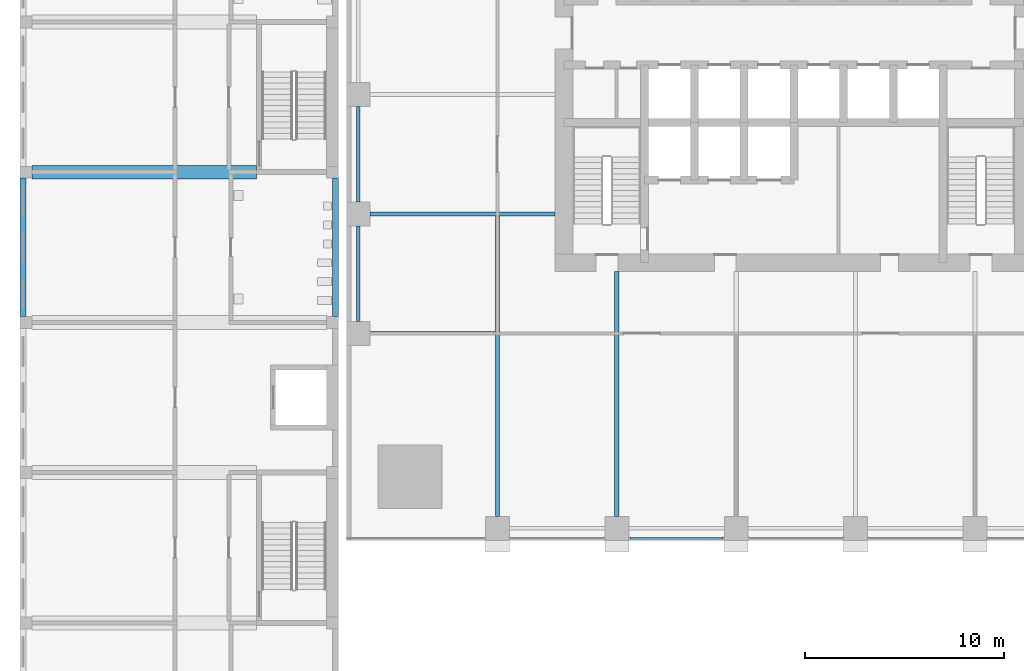
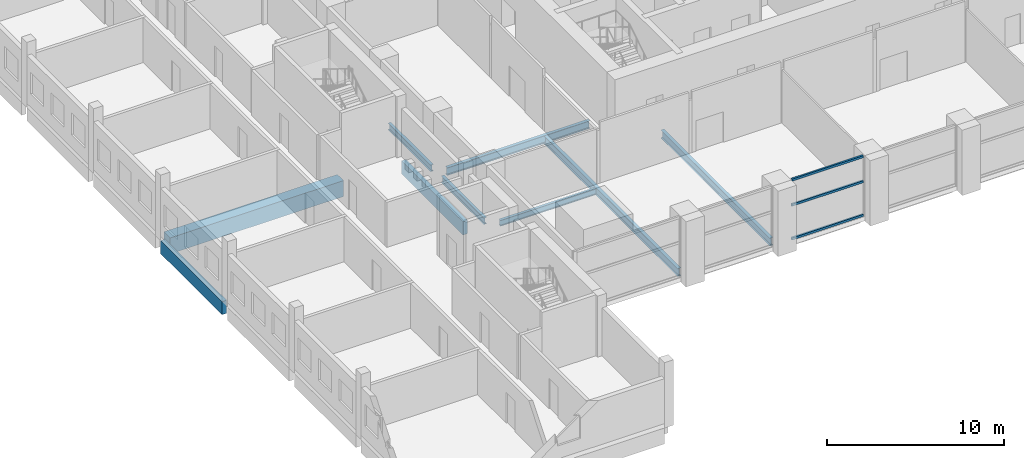
# One storey, part 3 of 25: 9 beams, 3 members, 1 element without a shape of its own.
"""IFC4 building model written with IfcOpenShell, lengths in metres."""

from ifc_helpers import new_model, si_unit, direction, frame, origin, origin_2d, place, context, subcontext, project, spatial, rectangle, i_section, extrude, material, material_profile, profile_set, type_object, element, aggregate, save


model = new_model("IFC4")

# Units and contexts
model_context = context("Model", 3, precision=1e-05, world=origin(), true_north=direction((0.0, 1.0)))
body_context = subcontext(model_context, "Body", "Model", "MODEL_VIEW")
ifc_project = project(units=[si_unit("LENGTHUNIT", "METRE"), si_unit("AREAUNIT", "SQUARE_METRE"), si_unit("VOLUMEUNIT", "CUBIC_METRE"), si_unit("PLANEANGLEUNIT", "RADIAN"), si_unit("MASSUNIT", "GRAM", prefix="KILO")], contexts=[model_context])

# Site, building, storey
site_placement = place(None, origin())
site = spatial("IfcSite", under=ifc_project, at=site_placement, CompositionType="ELEMENT")
building_placement = place(site_placement, origin())
building = spatial("IfcBuilding", under=site, at=building_placement, Name="Amberfall Residences", CompositionType="ELEMENT")
storey_placement = place(building_placement, frame((0.0, 0.0, 10.0)))
storey = spatial("IfcBuildingStorey", under=building, at=storey_placement, Name="L02", CompositionType="ELEMENT", Elevation=10.0)

# Curtain wall, members
ifc_material_1 = material(Name="Bronze anodised aluminium and glass", Category="aluminium")
curtain_wall_type = type_object("IfcCurtainWallType", Name="Curtain wall CW4 podium storefront", PredefinedType="USERDEFINED", material=ifc_material_1)
curtain_wall_placement = place(storey_placement, origin())
curtain_wall = element("IfcCurtainWall", 1, at=curtain_wall_placement, inside=storey, type_object=curtain_wall_type, Name="Storefront L02 S3", ObjectType="UNITISED CURTAIN WALL", PredefinedType="USERDEFINED")
ifc_material_2 = material(Name="Bronze anodised aluminium", Category="aluminium")
ifc_material_profile_1 = material_profile(ifc_material_2, rectangle(XDim=0.1201171875, YDim=0.14990234375, at=origin_2d()), Name="CW4 transom 120 x 150 bronze")
ifc_profile_set_1 = profile_set([ifc_material_profile_1], Name="Bronze anodised aluminium")
member_type = type_object("IfcMemberType", Name="CW4 transom 120 x 150 bronze", PredefinedType="USERDEFINED", material=ifc_profile_set_1)
member_1_placement = place(storey_placement, frame((66.27001953125, 20.10009765625, 0.074951171875), z_axis=(1.0, 0.0, 0.0), x_axis=(0.0, 1.0, 0.0)))
member_1 = element("IfcMember", 2, at=member_1_placement, type_object=member_type, Name="CW4 transom 1.1", ObjectType="TRANSOM", PredefinedType="USERDEFINED", context=body_context, shape_type="SweptSolid", body=[
    extrude(rectangle(XDim=0.1201171875, YDim=0.14990234375, at=origin_2d()), origin(), (0.0, 0.0, 1.0), 4.659912109375),
])
member_2_placement = place(storey_placement, frame((66.27001953125, 20.10009765625, 2.39990234375), z_axis=(1.0, 0.0, 0.0), x_axis=(0.0, 1.0, 0.0)))
member_2 = element("IfcMember", 3, at=member_2_placement, type_object=member_type, Name="CW4 transom 1.2", ObjectType="TRANSOM", PredefinedType="USERDEFINED", context=body_context, shape_type="SweptSolid", body=[
    extrude(rectangle(XDim=0.1201171875, YDim=0.14990234375, at=origin_2d()), origin(), (0.0, 0.0, 1.0), 4.659912109375),
])
member_3_placement = place(storey_placement, frame((66.27001953125, 20.10009765625, 4.125), z_axis=(1.0, 0.0, 0.0), x_axis=(0.0, 1.0, 0.0)))
member_3 = element("IfcMember", 4, at=member_3_placement, type_object=member_type, Name="CW4 transom 1.3", ObjectType="TRANSOM", PredefinedType="USERDEFINED", context=body_context, shape_type="SweptSolid", body=[
    extrude(rectangle(XDim=0.1201171875, YDim=0.14990234375, at=origin_2d()), origin(), (0.0, 0.0, 1.0), 4.659912109375),
])
aggregate(curtain_wall, [member_1, member_2, member_3])

# Beams
ifc_material_3 = material(Name="Steel S355", Category="steel")
ifc_material_profile_2 = material_profile(ifc_material_3, i_section(OverallWidth=0.18994140625, OverallDepth=0.453369140625, WebThickness=0.008544921875, FlangeThickness=0.0126953125, FilletRadius=0.01025390625, at=origin_2d()), Name="UB 457x191x67")
ifc_profile_set_2 = profile_set([ifc_material_profile_2], Name="Steel S355")
beam_type_1 = type_object("IfcBeamType", Name="Edge beam UB 457x191x67", PredefinedType="SPANDREL", material=ifc_profile_set_2)
for number, where, z_axis, x_axis, name in (
    (5, (52.60009765625, 31.0, -0.526611328125), (0.0, 1.0, 0.0), (-1.0, 0.0, 0.0), "Edge beam B1 L02 34"),
    (6, (52.60009765625, 37.0, -0.526611328125), (0.0, 1.0, 0.0), (-1.0, 0.0, 0.0), "Edge beam B1 L02 35"),
):
    element("IfcBeam", number, at=place(storey_placement, frame(where, z_axis=z_axis, x_axis=x_axis)), inside=storey, type_object=beam_type_1, Name=name, PredefinedType="SPANDREL", context=body_context, shape_type="SweptSolid", body=[
        extrude(i_section(OverallWidth=0.18994140625, OverallDepth=0.453369140625, WebThickness=0.008544921875, FlangeThickness=0.0126953125, FilletRadius=0.01025390625, at=origin_2d()), origin(), (0.0, 0.0, 1.0), 4.800048828125),
    ])
ifc_material_profile_3 = material_profile(ifc_material_3, i_section(OverallWidth=0.177734375, OverallDepth=0.402587890625, WebThickness=0.0078125, FlangeThickness=0.010986328125, FilletRadius=0.01025390625, at=origin_2d()), Name="UB 406x178x54")
ifc_profile_set_3 = profile_set([ifc_material_profile_3], Name="Steel S355")
beam_type_2 = type_object("IfcBeamType", Name="Floor girder UB 406x178x54", PredefinedType="BEAM", material=ifc_profile_set_3)
beam_1_placement = place(storey_placement, frame((53.199951171875, 30.39990234375, -0.501220703125), z_axis=(1.0, 0.0, 0.0), x_axis=(0.0, 1.0, 0.0)))
element("IfcBeam", 7, at=beam_1_placement, inside=storey, type_object=beam_type_2, Name="Floor girder B4 L02 39", PredefinedType="BEAM", context=body_context, shape_type="SweptSolid", body=[
    extrude(i_section(OverallWidth=0.177734375, OverallDepth=0.402587890625, WebThickness=0.0078125, FlangeThickness=0.010986328125, FilletRadius=0.01025390625, at=origin_2d()), origin(), (0.0, 0.0, 1.0), 6.280029296875),
])
ifc_material_profile_4 = material_profile(ifc_material_3, i_section(OverallWidth=0.210693359375, OverallDepth=0.53955078125, WebThickness=0.01171875, FlangeThickness=0.018798828125, FilletRadius=0.0126953125, at=origin_2d()), Name="UB 533x210x109")
ifc_profile_set_4 = profile_set([ifc_material_profile_4], Name="Steel S355")
beam_type_3 = type_object("IfcBeamType", Name="Floor girder UB 533x210x109", PredefinedType="BEAM", material=ifc_profile_set_4)
beam_2_placement = place(storey_placement, frame((59.60009765625, 21.199951171875, -0.56982421875), z_axis=(0.0, 1.0, 0.0), x_axis=(-1.0, 0.0, 0.0)))
element("IfcBeam", 8, at=beam_2_placement, inside=storey, type_object=beam_type_3, Name="Floor girder B2 L02 06", PredefinedType="BEAM", context=body_context, shape_type="SweptSolid", body=[
    extrude(i_section(OverallWidth=0.210693359375, OverallDepth=0.53955078125, WebThickness=0.01171875, FlangeThickness=0.018798828125, FilletRadius=0.0126953125, at=origin_2d()), origin(), (0.0, 0.0, 1.0), 15.100341796875),
])
beam_3_placement = place(storey_placement, frame((65.60009765625, 21.199951171875, -0.56982421875), z_axis=(0.0, 1.0, 0.0), x_axis=(-1.0, 0.0, 0.0)))
element("IfcBeam", 9, at=beam_3_placement, inside=storey, type_object=beam_type_3, Name="Floor girder B2 L02 07", PredefinedType="BEAM", context=body_context, shape_type="SweptSolid", body=[
    extrude(i_section(OverallWidth=0.210693359375, OverallDepth=0.53955078125, WebThickness=0.01171875, FlangeThickness=0.018798828125, FilletRadius=0.0126953125, at=origin_2d()), origin(), (0.0, 0.0, 1.0), 12.300048828125),
])
ifc_material_profile_5 = material_profile(ifc_material_3, i_section(OverallWidth=0.209228515625, OverallDepth=0.533203125, WebThickness=0.010009765625, FlangeThickness=0.015625, FilletRadius=0.0126953125, at=origin_2d()), Name="UB 533x210x92")
ifc_profile_set_5 = profile_set([ifc_material_profile_5], Name="Steel S355")
beam_type_4 = type_object("IfcBeamType", Name="Floor girder UB 533x210x92", PredefinedType="BEAM", material=ifc_profile_set_5)
beam_4_placement = place(storey_placement, frame((53.199951171875, 36.39990234375, -0.566650390625), z_axis=(1.0, 0.0, 0.0), x_axis=(0.0, 1.0, 0.0)))
element("IfcBeam", 10, at=beam_4_placement, inside=storey, type_object=beam_type_4, Name="Floor girder B3 L02 40", PredefinedType="BEAM", context=body_context, shape_type="SweptSolid", body=[
    extrude(i_section(OverallWidth=0.209228515625, OverallDepth=0.533203125, WebThickness=0.010009765625, FlangeThickness=0.015625, FilletRadius=0.0126953125, at=origin_2d()), origin(), (0.0, 0.0, 1.0), 9.300048828125),
])
ifc_material_4 = material(Name="Concrete C40", Category="concrete")
ifc_material_profile_6 = material_profile(ifc_material_4, rectangle(XDim=0.699951171875, YDim=1.10009765625, at=origin_2d()), Name="School beam 700 x 1100 C40")
ifc_profile_set_6 = profile_set([ifc_material_profile_6], Name="Concrete C40")
beam_type_5 = type_object("IfcBeamType", Name="School beam 700 x 1100 C40", PredefinedType="BEAM", material=ifc_profile_set_6)
beam_5_placement = place(storey_placement, frame((36.199951171875, 38.5, -0.85009765625), z_axis=(1.0, 0.0, 0.0), x_axis=(0.0, 1.0, 0.0)))
element("IfcBeam", 11, at=beam_5_placement, inside=storey, type_object=beam_type_5, Name="TW4", PredefinedType="BEAM", context=body_context, shape_type="SweptSolid", body=[
    extrude(rectangle(XDim=0.699951171875, YDim=1.10009765625, at=origin_2d()), origin(), (0.0, 0.0, 1.0), 11.300048828125),
])
ifc_material_profile_7 = material_profile(ifc_material_4, rectangle(XDim=0.300048828125, YDim=0.89990234375, at=origin_2d()), Name="School edge beam 300 x 900 C40")
ifc_profile_set_7 = profile_set([ifc_material_profile_7], Name="Concrete C40")
beam_type_6 = type_object("IfcBeamType", Name="School edge beam 300 x 900 C40", PredefinedType="BEAM", material=ifc_profile_set_7)
for number, where, z_axis, x_axis, name in (
    (12, (35.75, 31.25, -0.75), (0.0, 1.0, 0.0), (-1.0, 0.0, 0.0), "GW3"),
    (13, (51.449951171875, 31.25, -0.75), (0.0, 1.0, 0.0), (-1.0, 0.0, 0.0), "GE3"),
):
    element("IfcBeam", number, at=place(storey_placement, frame(where, z_axis=z_axis, x_axis=x_axis)), inside=storey, type_object=beam_type_6, Name=name, PredefinedType="BEAM", context=body_context, shape_type="SweptSolid", body=[
        extrude(rectangle(XDim=0.300048828125, YDim=0.89990234375, at=origin_2d()), origin(), (0.0, 0.0, 1.0), 6.949951171875),
    ])

save(model, "model.ifc")
